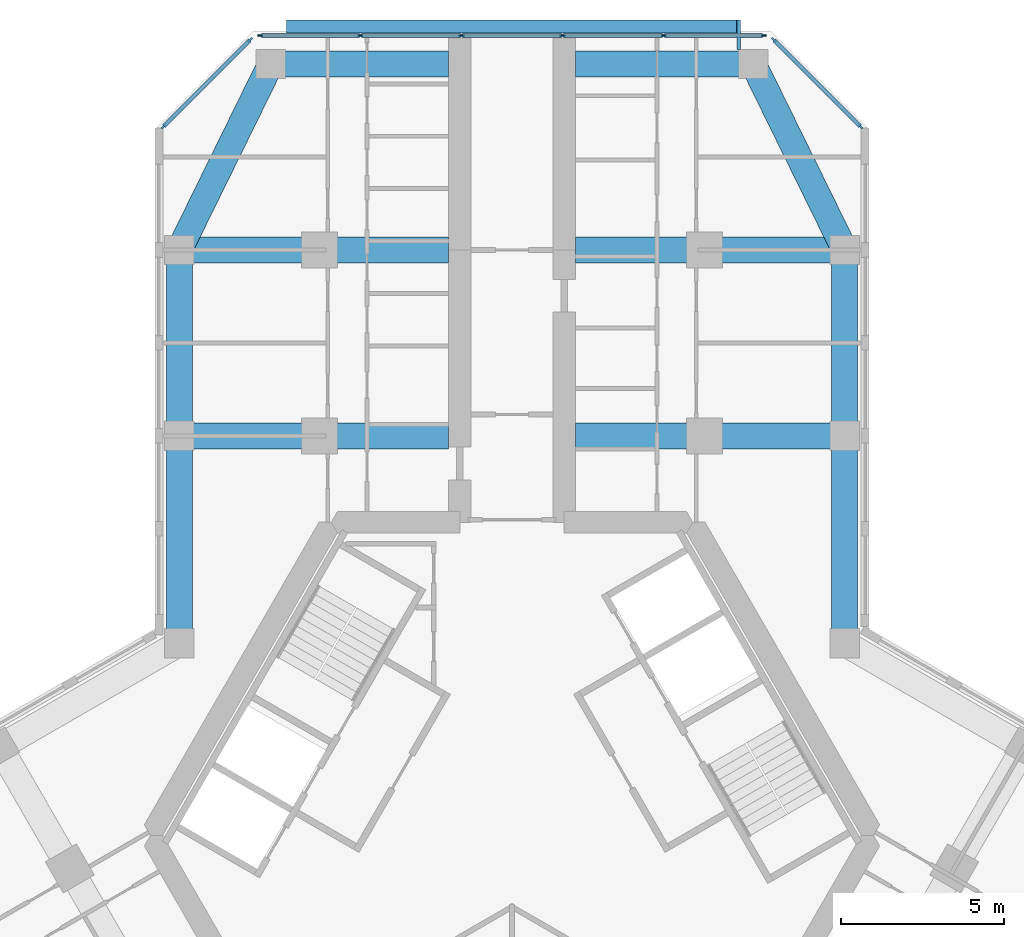
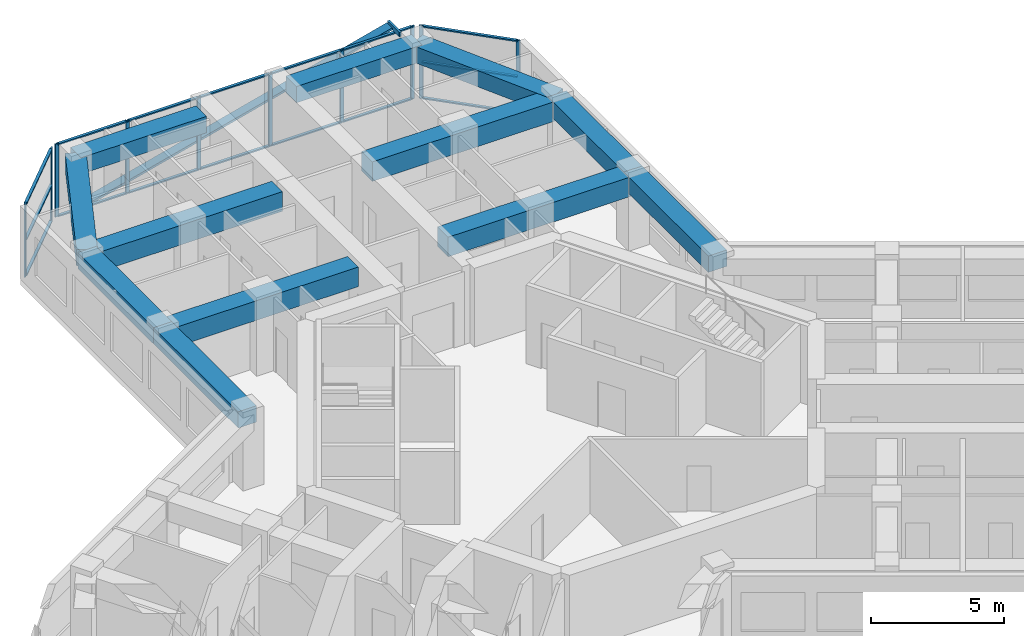
# One storey, part 6 of 16: 28 members, 12 beams, 3 elements without a shape of their own.
"""IFC4 building model written with IfcOpenShell, lengths in metres."""

from ifc_helpers import new_model, si_unit, direction, frame, origin, origin_2d, place, context, subcontext, project, spatial, rectangle, hollow_rectangle, extrude, material, material_profile, profile_set, type_object, element, aggregate, save


model = new_model("IFC4")

# Units and contexts
model_context = context("Model", 3, precision=1e-05, world=origin(), true_north=direction((0.0, 1.0)))
body_context = subcontext(model_context, "Body", "Model", "MODEL_VIEW")
ifc_project = project(units=[si_unit("LENGTHUNIT", "METRE"), si_unit("AREAUNIT", "SQUARE_METRE"), si_unit("VOLUMEUNIT", "CUBIC_METRE"), si_unit("PLANEANGLEUNIT", "RADIAN"), si_unit("MASSUNIT", "GRAM", prefix="KILO")], contexts=[model_context])

# Site, building, storey
site_placement = place(None, origin())
site = spatial("IfcSite", under=ifc_project, at=site_placement, CompositionType="ELEMENT")
building_placement = place(site_placement, origin())
building = spatial("IfcBuilding", under=site, at=building_placement, Name="Kosmar Iwan School Tower", CompositionType="ELEMENT")
storey_placement = place(building_placement, frame((0.0, 0.0, 219.0)))
storey = spatial("IfcBuildingStorey", under=building, at=storey_placement, Name="L55", CompositionType="ELEMENT", Elevation=219.0)

# Members
ifc_material_1 = material(Name="Black anodised aluminium", Category="aluminium")
ifc_material_profile_1 = material_profile(ifc_material_1, rectangle(XDim=0.10009765625, YDim=0.39990234375, at=origin_2d()), Name="FIN 100x400")
ifc_profile_set_1 = profile_set([ifc_material_profile_1], Name="Black anodised aluminium")
member_type_1 = type_object("IfcMemberType", Name="Diagonal fin 100x400", PredefinedType="USERDEFINED", material=ifc_profile_set_1)
member_1_placement = place(storey_placement, frame((-6.898193359375, 24.800048828125, -0.14990234375), z_axis=(0.967603633438, 0.0, 0.252474174041), x_axis=(-0.252474174041, 0.0, 0.967603633438)))
element("IfcMember", 1, at=member_1_placement, inside=storey, type_object=member_type_1, Name="Diagonal fin L55-F06", ObjectType="FIN", PredefinedType="USERDEFINED", context=body_context, shape_type="SweptSolid", body=[
    extrude(rectangle(XDim=0.10009765625, YDim=0.39990234375, at=origin_2d()), origin(), (0.0, 0.0, 1.0), 14.25830078125),
])
ifc_material_2 = material(Name="Steel S355", Category="steel")
ifc_material_profile_2 = material_profile(ifc_material_2, hollow_rectangle(XDim=0.10009765625, YDim=0.199951171875, WallThickness=0.008056640625, at=origin_2d()), Name="RHS 200x100x8")
ifc_profile_set_2 = profile_set([ifc_material_profile_2], Name="Steel S355")
member_type_2 = type_object("IfcMemberType", Name="Fin bracket RHS 200x100", PredefinedType="USERDEFINED", material=ifc_profile_set_2)
member_2_placement = place(storey_placement, frame((6.949951171875, 24.10009765625, 3.47509765625), z_axis=(0.0, 1.0, 0.0), x_axis=(-1.0, 0.0, 0.0)))
element("IfcMember", 2, at=member_2_placement, inside=storey, type_object=member_type_2, Name="Fin bracket L56", ObjectType="FIN BRACKET", PredefinedType="USERDEFINED", context=body_context, shape_type="SweptSolid", body=[
    extrude(hollow_rectangle(XDim=0.10009765625, YDim=0.199951171875, WallThickness=0.008056640625, at=origin_2d()), origin(), (0.0, 0.0, 1.0), 0.89990234375),
])

# Curtain wall, members
ifc_material_3 = material(Name="Dark glass in black aluminium frame", Category="aluminium")
curtain_wall_type_1 = type_object("IfcCurtainWallType", Name="Chamfer curtain wall dark glass", PredefinedType="USERDEFINED", material=ifc_material_3)
curtain_wall_1_placement = place(storey_placement, origin())
curtain_wall_1 = element("IfcCurtainWall", 3, at=curtain_wall_1_placement, inside=storey, type_object=curtain_wall_type_1, Name="Curtain wall L55-F05", ObjectType="FACETED CURTAIN WALL", PredefinedType="USERDEFINED")
ifc_material_4 = material(Name="Black anodised aluminium", Category="aluminium")
ifc_material_profile_3 = material_profile(ifc_material_4, rectangle(XDim=0.06005859375, YDim=0.159912109375, at=origin_2d()), Name="MULLION 60x160")
ifc_profile_set_3 = profile_set([ifc_material_profile_3], Name="Black anodised aluminium")
member_type_3 = type_object("IfcMemberType", Name="Mullion 60x160", PredefinedType="MULLION", material=ifc_profile_set_3)
member_3_placement = place(storey_placement, frame((10.69775390625, 21.7255859375, 0.0), z_axis=(0.0, 0.0, 1.0), x_axis=(-0.707106781187, -0.707106781187, 0.0)))
member_3 = element("IfcMember", 4, at=member_3_placement, type_object=member_type_3, Name="CW2 mullion 1", PredefinedType="MULLION", context=body_context, shape_type="SweptSolid", body=[
    extrude(rectangle(XDim=0.06005859375, YDim=0.159912109375, at=origin_2d()), origin(), (0.0, 0.0, 1.0), 3.35009765625),
])
member_4_placement = place(storey_placement, frame((8.025390625, 24.397705078125, 0.0), z_axis=(0.0, 0.0, 1.0), x_axis=(-0.707106781187, -0.707106781187, 0.0)))
member_4 = element("IfcMember", 5, at=member_4_placement, type_object=member_type_3, Name="CW2 mullion 2", PredefinedType="MULLION", context=body_context, shape_type="SweptSolid", body=[
    extrude(rectangle(XDim=0.06005859375, YDim=0.159912109375, at=origin_2d()), origin(), (0.0, 0.0, 1.0), 3.35009765625),
])

ifc_material_5 = material(Name="Dark glass in black aluminium frame", Category="aluminium")
curtain_wall_type_2 = type_object("IfcCurtainWallType", Name="Tower curtain wall dark glass", PredefinedType="USERDEFINED", material=ifc_material_5)
curtain_wall_2_placement = place(storey_placement, origin())
curtain_wall_2 = element("IfcCurtainWall", 6, at=curtain_wall_2_placement, inside=storey, type_object=curtain_wall_type_2, Name="Curtain wall L55-F06", ObjectType="UNITISED CURTAIN WALL", PredefinedType="USERDEFINED")
member_5_placement = place(storey_placement, frame((7.71826171875, 24.52490234375, 0.0), z_axis=(0.0, 0.0, 1.0), x_axis=(0.0, -1.0, 0.0)))
member_5 = element("IfcMember", 7, at=member_5_placement, type_object=member_type_3, Name="CW1 mullion 1", PredefinedType="MULLION", context=body_context, shape_type="SweptSolid", body=[
    extrude(rectangle(XDim=0.06005859375, YDim=0.159912109375, at=origin_2d()), origin(), (0.0, 0.0, 1.0), 3.35009765625),
])
member_6_placement = place(storey_placement, frame((4.64892578125, 24.52490234375, 0.0), z_axis=(0.0, 0.0, 1.0), x_axis=(0.0, -1.0, 0.0)))
member_6 = element("IfcMember", 8, at=member_6_placement, type_object=member_type_3, Name="CW1 mullion 2", PredefinedType="MULLION", context=body_context, shape_type="SweptSolid", body=[
    extrude(rectangle(XDim=0.06005859375, YDim=0.159912109375, at=origin_2d()), origin(), (0.0, 0.0, 1.0), 3.35009765625),
])
member_7_placement = place(storey_placement, frame((1.549560546875, 24.52490234375, 0.0), z_axis=(0.0, 0.0, 1.0), x_axis=(0.0, -1.0, 0.0)))
member_7 = element("IfcMember", 9, at=member_7_placement, type_object=member_type_3, Name="CW1 mullion 3", PredefinedType="MULLION", context=body_context, shape_type="SweptSolid", body=[
    extrude(rectangle(XDim=0.06005859375, YDim=0.159912109375, at=origin_2d()), origin(), (0.0, 0.0, 1.0), 3.35009765625),
])
member_8_placement = place(storey_placement, frame((-1.549560546875, 24.52490234375, 0.0), z_axis=(0.0, 0.0, 1.0), x_axis=(0.0, -1.0, 0.0)))
member_8 = element("IfcMember", 10, at=member_8_placement, type_object=member_type_3, Name="CW1 mullion 4", PredefinedType="MULLION", context=body_context, shape_type="SweptSolid", body=[
    extrude(rectangle(XDim=0.06005859375, YDim=0.159912109375, at=origin_2d()), origin(), (0.0, 0.0, 1.0), 3.35009765625),
])
member_9_placement = place(storey_placement, frame((-4.64892578125, 24.52490234375, 0.0), z_axis=(0.0, 0.0, 1.0), x_axis=(0.0, -1.0, 0.0)))
member_9 = element("IfcMember", 11, at=member_9_placement, type_object=member_type_3, Name="CW1 mullion 5", PredefinedType="MULLION", context=body_context, shape_type="SweptSolid", body=[
    extrude(rectangle(XDim=0.06005859375, YDim=0.159912109375, at=origin_2d()), origin(), (0.0, 0.0, 1.0), 3.35009765625),
])
member_10_placement = place(storey_placement, frame((-7.71826171875, 24.52490234375, 0.0), z_axis=(0.0, 0.0, 1.0), x_axis=(0.0, -1.0, 0.0)))
member_10 = element("IfcMember", 12, at=member_10_placement, type_object=member_type_3, Name="CW1 mullion 6", PredefinedType="MULLION", context=body_context, shape_type="SweptSolid", body=[
    extrude(rectangle(XDim=0.06005859375, YDim=0.159912109375, at=origin_2d()), origin(), (0.0, 0.0, 1.0), 3.35009765625),
])

curtain_wall_3_placement = place(storey_placement, origin())
curtain_wall_3 = element("IfcCurtainWall", 13, at=curtain_wall_3_placement, inside=storey, type_object=curtain_wall_type_1, Name="Curtain wall L55-F07", ObjectType="FACETED CURTAIN WALL", PredefinedType="USERDEFINED")
member_11_placement = place(storey_placement, frame((-8.025390625, 24.397705078125, 0.0), z_axis=(0.0, 0.0, 1.0), x_axis=(0.707106781187, -0.707106781187, 0.0)))
member_11 = element("IfcMember", 14, at=member_11_placement, type_object=member_type_3, Name="CW2 mullion 1", PredefinedType="MULLION", context=body_context, shape_type="SweptSolid", body=[
    extrude(rectangle(XDim=0.06005859375, YDim=0.159912109375, at=origin_2d()), origin(), (0.0, 0.0, 1.0), 3.35009765625),
])
member_12_placement = place(storey_placement, frame((-10.69775390625, 21.7255859375, 0.0), z_axis=(0.0, 0.0, 1.0), x_axis=(0.707106781187, -0.707106781187, 0.0)))
member_12 = element("IfcMember", 15, at=member_12_placement, type_object=member_type_3, Name="CW2 mullion 2", PredefinedType="MULLION", context=body_context, shape_type="SweptSolid", body=[
    extrude(rectangle(XDim=0.06005859375, YDim=0.159912109375, at=origin_2d()), origin(), (0.0, 0.0, 1.0), 3.35009765625),
])

# Beams
ifc_material_6 = material(Name="Concrete C50/60", Category="concrete")
ifc_material_profile_4 = material_profile(ifc_material_6, rectangle(XDim=0.800048828125, YDim=0.75, at=origin_2d()), Name="RC 800x750")
ifc_profile_set_4 = profile_set([ifc_material_profile_4], Name="Concrete C50/60")
beam_type_1 = type_object("IfcBeamType", Name="RC edge beam 800x750", PredefinedType="BEAM", material=ifc_profile_set_4)
beam_1_placement = place(storey_placement, frame((-10.199951171875, 5.888916015625, 2.97509765625), z_axis=(0.0, 1.0, 0.0), x_axis=(-1.0, 0.0, 0.0)))
element("IfcBeam", 16, at=beam_1_placement, inside=storey, type_object=beam_type_1, Name="Edge beam AL1", PredefinedType="BEAM", context=body_context, shape_type="SweptSolid", body=[
    extrude(rectangle(XDim=0.800048828125, YDim=0.75, at=origin_2d()), origin(), (0.0, 0.0, 1.0), 6.361083984375),
])
beam_2_placement = place(storey_placement, frame((-10.199951171875, 12.25, 2.97509765625), z_axis=(0.0, 1.0, 0.0), x_axis=(-1.0, 0.0, 0.0)))
element("IfcBeam", 17, at=beam_2_placement, inside=storey, type_object=beam_type_1, Name="Edge beam AL2", PredefinedType="BEAM", context=body_context, shape_type="SweptSolid", body=[
    extrude(rectangle(XDim=0.800048828125, YDim=0.75, at=origin_2d()), origin(), (0.0, 0.0, 1.0), 5.699951171875),
])
beam_3_placement = place(storey_placement, frame((10.199951171875, 5.888916015625, 2.97509765625), z_axis=(0.0, 1.0, 0.0), x_axis=(-1.0, 0.0, 0.0)))
element("IfcBeam", 18, at=beam_3_placement, inside=storey, type_object=beam_type_1, Name="Edge beam AR1", PredefinedType="BEAM", context=body_context, shape_type="SweptSolid", body=[
    extrude(rectangle(XDim=0.800048828125, YDim=0.75, at=origin_2d()), origin(), (0.0, 0.0, 1.0), 6.361083984375),
])
beam_4_placement = place(storey_placement, frame((10.199951171875, 12.25, 2.97509765625), z_axis=(0.0, 1.0, 0.0), x_axis=(-1.0, 0.0, 0.0)))
element("IfcBeam", 19, at=beam_4_placement, inside=storey, type_object=beam_type_1, Name="Edge beam AR2", PredefinedType="BEAM", context=body_context, shape_type="SweptSolid", body=[
    extrude(rectangle(XDim=0.800048828125, YDim=0.75, at=origin_2d()), origin(), (0.0, 0.0, 1.0), 5.699951171875),
])
ifc_material_7 = material(Name="Concrete C50/60", Category="concrete")
ifc_material_profile_5 = material_profile(ifc_material_7, rectangle(XDim=0.800048828125, YDim=0.75, at=origin_2d()), Name="RC 800x750")
ifc_profile_set_5 = profile_set([ifc_material_profile_5], Name="Concrete C50/60")
beam_type_2 = type_object("IfcBeamType", Name="RC tip beam 800x750", PredefinedType="BEAM", material=ifc_profile_set_5)
beam_5_placement = place(storey_placement, frame((-10.199951171875, 17.949951171875, 2.97509765625), z_axis=(0.440913116462, 0.897549788999, 0.0), x_axis=(-0.897549788999, 0.440913116462, 0.0)))
element("IfcBeam", 20, at=beam_5_placement, inside=storey, type_object=beam_type_2, Name="Tip beam AL", PredefinedType="BEAM", context=body_context, shape_type="SweptSolid", body=[
    extrude(rectangle(XDim=0.800048828125, YDim=0.75, at=origin_2d()), origin(), (0.0, 0.0, 1.0), 6.3505859375),
])
beam_6_placement = place(storey_placement, frame((-7.39990234375, 23.64990234375, 2.97509765625), z_axis=(1.0, 0.0, 0.0), x_axis=(0.0, 1.0, 0.0)))
element("IfcBeam", 21, at=beam_6_placement, inside=storey, type_object=beam_type_2, Name="Tip beam AL to corridor wall", PredefinedType="BEAM", context=body_context, shape_type="SweptSolid", body=[
    extrude(rectangle(XDim=0.800048828125, YDim=0.75, at=origin_2d()), origin(), (0.0, 0.0, 1.0), 5.449951171875),
])
beam_7_placement = place(storey_placement, frame((10.199951171875, 17.949951171875, 2.97509765625), z_axis=(-0.440913116462, 0.897549788999, 0.0), x_axis=(-0.897549788999, -0.440913116462, 0.0)))
element("IfcBeam", 22, at=beam_7_placement, inside=storey, type_object=beam_type_2, Name="Tip beam AR", PredefinedType="BEAM", context=body_context, shape_type="SweptSolid", body=[
    extrude(rectangle(XDim=0.800048828125, YDim=0.75, at=origin_2d()), origin(), (0.0, 0.0, 1.0), 6.3505859375),
])
beam_8_placement = place(storey_placement, frame((7.39990234375, 23.64990234375, 2.97509765625), z_axis=(-1.0, 0.0, 0.0), x_axis=(0.0, -1.0, 0.0)))
element("IfcBeam", 23, at=beam_8_placement, inside=storey, type_object=beam_type_2, Name="Tip beam AR to corridor wall", PredefinedType="BEAM", context=body_context, shape_type="SweptSolid", body=[
    extrude(rectangle(XDim=0.800048828125, YDim=0.75, at=origin_2d()), origin(), (0.0, 0.0, 1.0), 5.449951171875),
])
ifc_material_8 = material(Name="Concrete C50/60", Category="concrete")
ifc_material_profile_6 = material_profile(ifc_material_8, rectangle(XDim=0.800048828125, YDim=0.89990234375, at=origin_2d()), Name="RC 800x900")
ifc_profile_set_6 = profile_set([ifc_material_profile_6], Name="Concrete C50/60")
beam_type_3 = type_object("IfcBeamType", Name="RC transverse beam 800x900", PredefinedType="BEAM", material=ifc_profile_set_6)
for number, where, z_axis, x_axis, name in (
    (24, (-10.199951171875, 12.25, 2.89990234375), (1.0, 0.0, 0.0), (0.0, 1.0, 0.0), "Transverse beam AL1"),
    (25, (-10.199951171875, 17.949951171875, 2.89990234375), (1.0, 0.0, 0.0), (0.0, 1.0, 0.0), "Transverse beam AL2"),
    (26, (10.199951171875, 12.25, 2.89990234375), (-1.0, 0.0, 0.0), (0.0, -1.0, 0.0), "Transverse beam AR1"),
    (27, (10.199951171875, 17.949951171875, 2.89990234375), (-1.0, 0.0, 0.0), (0.0, -1.0, 0.0), "Transverse beam AR2"),
):
    element("IfcBeam", number, at=place(storey_placement, frame(where, z_axis=z_axis, x_axis=x_axis)), inside=storey, type_object=beam_type_3, Name=name, PredefinedType="BEAM", context=body_context, shape_type="SweptSolid", body=[
        extrude(rectangle(XDim=0.800048828125, YDim=0.89990234375, at=origin_2d()), origin(), (0.0, 0.0, 1.0), 8.25),
    ])

# Member
ifc_material_9 = material(Name="Black anodised aluminium", Category="aluminium")
ifc_material_profile_7 = material_profile(ifc_material_9, rectangle(XDim=0.1201171875, YDim=0.06005859375, at=origin_2d()), Name="TRANSOM 60x120")
ifc_profile_set_7 = profile_set([ifc_material_profile_7], Name="Black anodised aluminium")
member_type_4 = type_object("IfcMemberType", Name="Transom 60x120", PredefinedType="USERDEFINED", material=ifc_profile_set_7)
member_13_placement = place(storey_placement, frame((10.676513671875, 21.746826171875, 0.030029296875), z_axis=(-0.707139603466, 0.707073957383, 0.0), x_axis=(-0.707073957383, -0.707139603466, 0.0)))
member_13 = element("IfcMember", 28, at=member_13_placement, type_object=member_type_4, Name="CW2 transom 1.1", ObjectType="TRANSOM", PredefinedType="USERDEFINED", context=body_context, shape_type="SweptSolid", body=[
    extrude(rectangle(XDim=0.1201171875, YDim=0.06005859375, at=origin_2d()), origin(), (0.0, 0.0, 1.0), 3.718994140625),
])

member_14_placement = place(storey_placement, frame((10.676513671875, 21.746826171875, 1.675048828125), z_axis=(-0.707139603466, 0.707073957383, 0.0), x_axis=(-0.707073957383, -0.707139603466, 0.0)))
member_14 = element("IfcMember", 29, at=member_14_placement, type_object=member_type_4, Name="CW2 transom 1.2", ObjectType="TRANSOM", PredefinedType="USERDEFINED", context=body_context, shape_type="SweptSolid", body=[
    extrude(rectangle(XDim=0.1201171875, YDim=0.06005859375, at=origin_2d()), origin(), (0.0, 0.0, 1.0), 3.718994140625),
])

member_15_placement = place(storey_placement, frame((10.676513671875, 21.746826171875, 3.320068359375), z_axis=(-0.707139603466, 0.707073957383, 0.0), x_axis=(-0.707073957383, -0.707139603466, 0.0)))
member_15 = element("IfcMember", 30, at=member_15_placement, type_object=member_type_4, Name="CW2 transom 1.3", ObjectType="TRANSOM", PredefinedType="USERDEFINED", context=body_context, shape_type="SweptSolid", body=[
    extrude(rectangle(XDim=0.1201171875, YDim=0.06005859375, at=origin_2d()), origin(), (0.0, 0.0, 1.0), 3.718994140625),
])

aggregate(curtain_wall_1, [member_3, member_4, member_13, member_14, member_15])

member_16_placement = place(storey_placement, frame((7.688232421875, 24.52490234375, 0.030029296875), z_axis=(-1.0, 0.0, 0.0), x_axis=(0.0, -1.0, 0.0)))
member_16 = element("IfcMember", 31, at=member_16_placement, type_object=member_type_4, Name="CW1 transom 1.1", ObjectType="TRANSOM", PredefinedType="USERDEFINED", context=body_context, shape_type="SweptSolid", body=[
    extrude(rectangle(XDim=0.1201171875, YDim=0.06005859375, at=origin_2d()), origin(), (0.0, 0.0, 1.0), 3.00927734375),
])

member_17_placement = place(storey_placement, frame((7.688232421875, 24.52490234375, 3.320068359375), z_axis=(-1.0, 0.0, 0.0), x_axis=(0.0, -1.0, 0.0)))
member_17 = element("IfcMember", 32, at=member_17_placement, type_object=member_type_4, Name="CW1 transom 1.2", ObjectType="TRANSOM", PredefinedType="USERDEFINED", context=body_context, shape_type="SweptSolid", body=[
    extrude(rectangle(XDim=0.1201171875, YDim=0.06005859375, at=origin_2d()), origin(), (0.0, 0.0, 1.0), 3.00927734375),
])

member_18_placement = place(storey_placement, frame((4.618896484375, 24.52490234375, 0.030029296875), z_axis=(-1.0, 0.0, 0.0), x_axis=(0.0, -1.0, 0.0)))
member_18 = element("IfcMember", 33, at=member_18_placement, type_object=member_type_4, Name="CW1 transom 2.1", ObjectType="TRANSOM", PredefinedType="USERDEFINED", context=body_context, shape_type="SweptSolid", body=[
    extrude(rectangle(XDim=0.1201171875, YDim=0.06005859375, at=origin_2d()), origin(), (0.0, 0.0, 1.0), 3.039306640625),
])

member_19_placement = place(storey_placement, frame((4.618896484375, 24.52490234375, 3.320068359375), z_axis=(-1.0, 0.0, 0.0), x_axis=(0.0, -1.0, 0.0)))
member_19 = element("IfcMember", 34, at=member_19_placement, type_object=member_type_4, Name="CW1 transom 2.2", ObjectType="TRANSOM", PredefinedType="USERDEFINED", context=body_context, shape_type="SweptSolid", body=[
    extrude(rectangle(XDim=0.1201171875, YDim=0.06005859375, at=origin_2d()), origin(), (0.0, 0.0, 1.0), 3.039306640625),
])

member_20_placement = place(storey_placement, frame((1.51953125, 24.52490234375, 0.030029296875), z_axis=(-1.0, 0.0, 0.0), x_axis=(0.0, -1.0, 0.0)))
member_20 = element("IfcMember", 35, at=member_20_placement, type_object=member_type_4, Name="CW1 transom 3.1", ObjectType="TRANSOM", PredefinedType="USERDEFINED", context=body_context, shape_type="SweptSolid", body=[
    extrude(rectangle(XDim=0.1201171875, YDim=0.06005859375, at=origin_2d()), origin(), (0.0, 0.0, 1.0), 3.0390625),
])

member_21_placement = place(storey_placement, frame((1.51953125, 24.52490234375, 3.320068359375), z_axis=(-1.0, 0.0, 0.0), x_axis=(0.0, -1.0, 0.0)))
member_21 = element("IfcMember", 36, at=member_21_placement, type_object=member_type_4, Name="CW1 transom 3.2", ObjectType="TRANSOM", PredefinedType="USERDEFINED", context=body_context, shape_type="SweptSolid", body=[
    extrude(rectangle(XDim=0.1201171875, YDim=0.06005859375, at=origin_2d()), origin(), (0.0, 0.0, 1.0), 3.0390625),
])

member_22_placement = place(storey_placement, frame((-1.57958984375, 24.52490234375, 0.030029296875), z_axis=(-1.0, 0.0, 0.0), x_axis=(0.0, -1.0, 0.0)))
member_22 = element("IfcMember", 37, at=member_22_placement, type_object=member_type_4, Name="CW1 transom 4.1", ObjectType="TRANSOM", PredefinedType="USERDEFINED", context=body_context, shape_type="SweptSolid", body=[
    extrude(rectangle(XDim=0.1201171875, YDim=0.06005859375, at=origin_2d()), origin(), (0.0, 0.0, 1.0), 3.039306640625),
])

member_23_placement = place(storey_placement, frame((-1.57958984375, 24.52490234375, 3.320068359375), z_axis=(-1.0, 0.0, 0.0), x_axis=(0.0, -1.0, 0.0)))
member_23 = element("IfcMember", 38, at=member_23_placement, type_object=member_type_4, Name="CW1 transom 4.2", ObjectType="TRANSOM", PredefinedType="USERDEFINED", context=body_context, shape_type="SweptSolid", body=[
    extrude(rectangle(XDim=0.1201171875, YDim=0.06005859375, at=origin_2d()), origin(), (0.0, 0.0, 1.0), 3.039306640625),
])

member_24_placement = place(storey_placement, frame((-4.678955078125, 24.52490234375, 0.030029296875), z_axis=(-1.0, 0.0, 0.0), x_axis=(0.0, -1.0, 0.0)))
member_24 = element("IfcMember", 39, at=member_24_placement, type_object=member_type_4, Name="CW1 transom 5.1", ObjectType="TRANSOM", PredefinedType="USERDEFINED", context=body_context, shape_type="SweptSolid", body=[
    extrude(rectangle(XDim=0.1201171875, YDim=0.06005859375, at=origin_2d()), origin(), (0.0, 0.0, 1.0), 3.00927734375),
])

member_25_placement = place(storey_placement, frame((-4.678955078125, 24.52490234375, 3.320068359375), z_axis=(-1.0, 0.0, 0.0), x_axis=(0.0, -1.0, 0.0)))
member_25 = element("IfcMember", 40, at=member_25_placement, type_object=member_type_4, Name="CW1 transom 5.2", ObjectType="TRANSOM", PredefinedType="USERDEFINED", context=body_context, shape_type="SweptSolid", body=[
    extrude(rectangle(XDim=0.1201171875, YDim=0.06005859375, at=origin_2d()), origin(), (0.0, 0.0, 1.0), 3.00927734375),
])

aggregate(curtain_wall_2, [member_5, member_6, member_7, member_8, member_9, member_10, member_16, member_17, member_18, member_19, member_20, member_21, member_22, member_23, member_24, member_25])

member_26_placement = place(storey_placement, frame((-8.046630859375, 24.37646484375, 0.030029296875), z_axis=(-0.707139603466, -0.707073957383, 0.0), x_axis=(0.707073957383, -0.707139603466, 0.0)))
member_26 = element("IfcMember", 41, at=member_26_placement, type_object=member_type_4, Name="CW2 transom 1.1", ObjectType="TRANSOM", PredefinedType="USERDEFINED", context=body_context, shape_type="SweptSolid", body=[
    extrude(rectangle(XDim=0.1201171875, YDim=0.06005859375, at=origin_2d()), origin(), (0.0, 0.0, 1.0), 3.718994140625),
])

member_27_placement = place(storey_placement, frame((-8.046630859375, 24.37646484375, 1.675048828125), z_axis=(-0.707139603466, -0.707073957383, 0.0), x_axis=(0.707073957383, -0.707139603466, 0.0)))
member_27 = element("IfcMember", 42, at=member_27_placement, type_object=member_type_4, Name="CW2 transom 1.2", ObjectType="TRANSOM", PredefinedType="USERDEFINED", context=body_context, shape_type="SweptSolid", body=[
    extrude(rectangle(XDim=0.1201171875, YDim=0.06005859375, at=origin_2d()), origin(), (0.0, 0.0, 1.0), 3.718994140625),
])

member_28_placement = place(storey_placement, frame((-8.046630859375, 24.37646484375, 3.320068359375), z_axis=(-0.707139603466, -0.707073957383, 0.0), x_axis=(0.707073957383, -0.707139603466, 0.0)))
member_28 = element("IfcMember", 43, at=member_28_placement, type_object=member_type_4, Name="CW2 transom 1.3", ObjectType="TRANSOM", PredefinedType="USERDEFINED", context=body_context, shape_type="SweptSolid", body=[
    extrude(rectangle(XDim=0.1201171875, YDim=0.06005859375, at=origin_2d()), origin(), (0.0, 0.0, 1.0), 3.718994140625),
])

aggregate(curtain_wall_3, [member_11, member_12, member_26, member_27, member_28])

save(model, "model.ifc")
